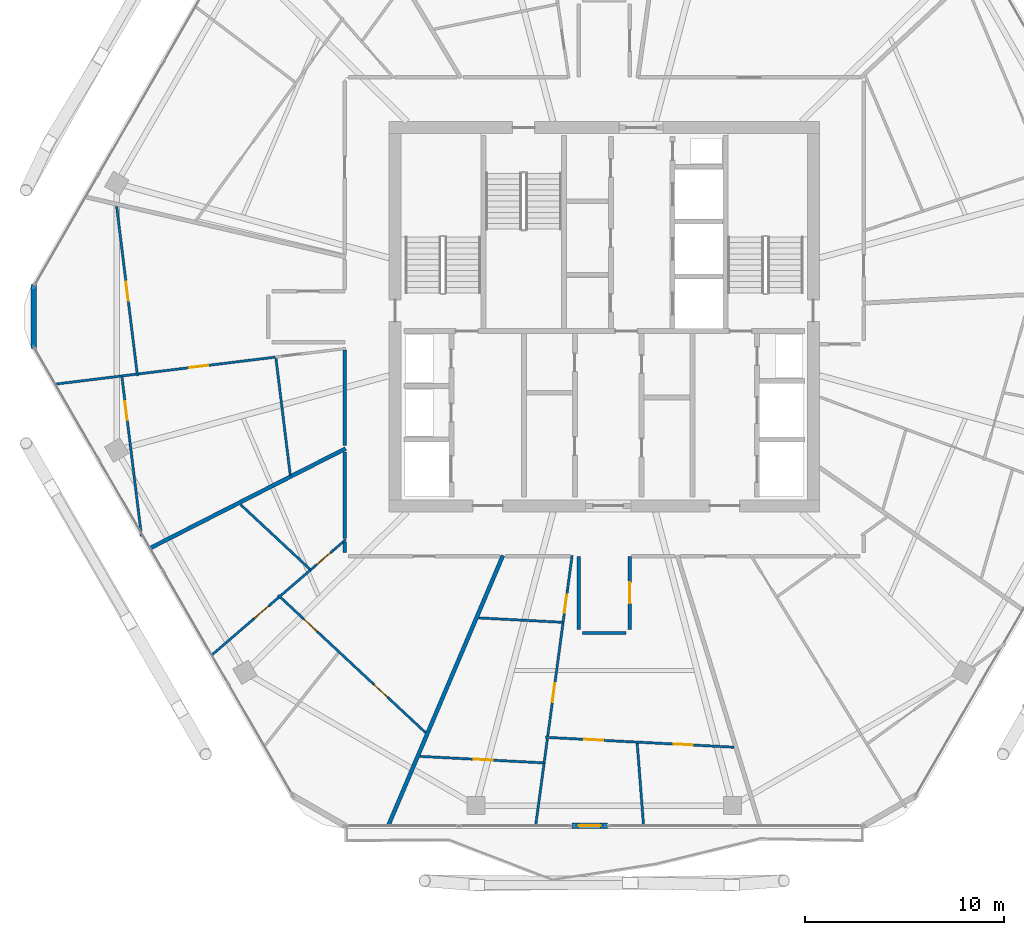
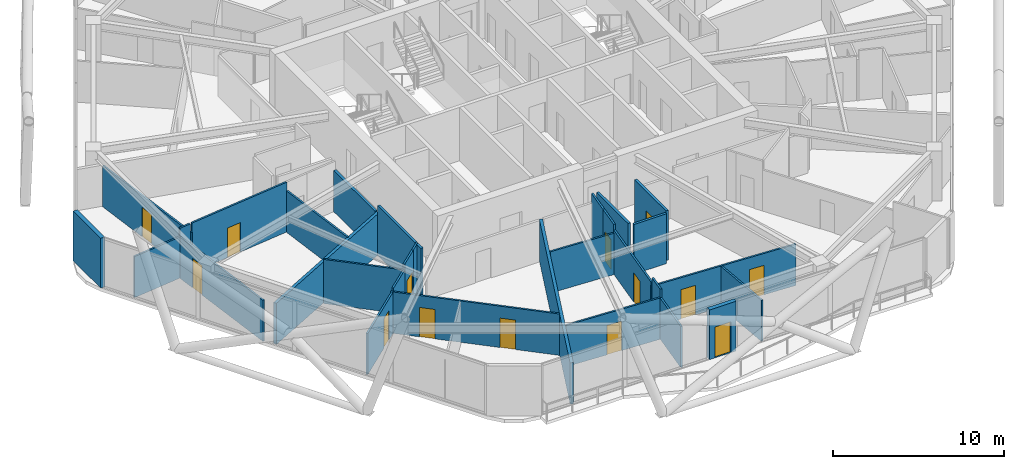
# One storey, part 20 of 28: 31 walls, 14 doors, 14 openings.
"""IFC4 building model written with IfcOpenShell, lengths in metres."""

from ifc_helpers import new_model, si_unit, direction, frame, frame_2d, origin, place, context, subcontext, project, spatial, rectangle, extrude, material, layer, layer_set, type_object, element, fill, save


model = new_model("IFC4")

# Units and contexts
model_context = context("Model", 3, precision=1e-05, world=origin(), true_north=direction((0.0, 1.0)))
body_context = subcontext(model_context, "Body", "Model", "MODEL_VIEW")
ifc_project = project(units=[si_unit("LENGTHUNIT", "METRE"), si_unit("AREAUNIT", "SQUARE_METRE"), si_unit("VOLUMEUNIT", "CUBIC_METRE"), si_unit("PLANEANGLEUNIT", "RADIAN"), si_unit("MASSUNIT", "GRAM", prefix="KILO")], contexts=[model_context])

# Site, building, storey
site_placement = place(None, origin())
site = spatial("IfcSite", under=ifc_project, at=site_placement, CompositionType="ELEMENT")
building_placement = place(site_placement, origin())
building = spatial("IfcBuilding", under=site, at=building_placement, Name="Zuhravey Tower", CompositionType="ELEMENT")
storey_placement = place(building_placement, frame((0.0, 0.0, 254.0)))
storey = spatial("IfcBuildingStorey", under=building, at=storey_placement, Name="L64", CompositionType="ELEMENT", Elevation=254.0)

# Wall, opening, door
ifc_material_1 = material(Name="Gypsum fire-rated stud partition")
ifc_layer_1 = layer(ifc_material_1, 0.159912109375)
ifc_layer_set_1 = layer_set([ifc_layer_1], Name="Gypsum fire-rated stud partition")
wall_type_1 = type_object("IfcWallType", Name="Corridor Fire Partition 160", PredefinedType="PARTITIONING", material=ifc_layer_set_1)
wall_1_placement = place(storey_placement, frame((37.280029296875, 16.300048828125, 0.0), z_axis=(0.0, 0.0, 1.0), x_axis=(0.0, 1.0, 0.0)))
wall_1 = element("IfcWall", 1, at=wall_1_placement, inside=storey, type_object=wall_type_1, Name="L64 IW16 Partition 041", PredefinedType="PARTITIONING", context=body_context, shape_type="SweptSolid", body=[
    extrude(rectangle(XDim=3.669921875, YDim=0.159912109375, at=frame_2d((1.8349609375, 0.0))), origin(), (0.0, 0.0, 1.0), 3.550048828125),
])
opening_1_placement = place(wall_1_placement, frame((1.31005859375, 0.0, 0.0)))
opening_1 = element("IfcOpeningElement", 2, at=opening_1_placement, cuts=wall_1, Name="Opening APD1", PredefinedType="OPENING", context=body_context, shape_type="SweptSolid", body=[
    extrude(rectangle(XDim=1.050048828125, YDim=2.14990234375, at=frame_2d((0.52490234375, 1.074951171875))), frame((0.0, 0.092041015625, 0.0), z_axis=(0.0, -1.0, 0.0), x_axis=(1.0, 0.0, 0.0)), (0.0, 0.0, 1.0), 0.183837890625),
])
ifc_material_2 = material(Name="Solid-core oak fire-rated leaf")
door_type_1 = type_object("IfcDoorType", Name="Apartment Entrance Fire Door 1050x2150", OperationType="NOTDEFINED", PredefinedType="DOOR", material=ifc_material_2)
door_1_placement = place(opening_1_placement, frame((1.050048828125, 0.0, 0.0), z_axis=(0.0, 0.0, 1.0), x_axis=(-1.0, 0.0, 0.0)))
door_1 = element("IfcDoor", 3, at=door_1_placement, inside=storey, type_object=door_type_1, Name="L64 Door 041.1", OperationType="SINGLE_SWING_RIGHT", OverallHeight=2.14990234375, OverallWidth=1.050048828125, PredefinedType="DOOR", context=body_context, shape_type="SweptSolid", body=[
    extrude(rectangle(XDim=1.050048828125, YDim=2.14990234375, at=frame_2d((0.52490234375, 1.074951171875))), frame((0.0, 0.02490234375, 0.0), z_axis=(0.0, -1.0, 0.0), x_axis=(1.0, 0.0, 0.0)), (0.0, 0.0, 1.0), 0.050048828125),
])
fill(opening_1, door_1)

# Walls
wall_2_placement = place(storey_placement, frame((22.969970703125, 30.33154296875, 0.0), z_axis=(0.0, 0.0, 1.0), x_axis=(0.0, -1.0, 0.0)))
element("IfcWall", 4, at=wall_2_placement, inside=storey, type_object=wall_type_1, Name="L64 IW16 Partition 108", PredefinedType="PARTITIONING", context=body_context, shape_type="SweptSolid", body=[
    extrude(rectangle(XDim=4.8056640625, YDim=0.159912109375, at=frame_2d((2.40283203125, 0.0))), origin(), (0.0, 0.0, 1.0), 2.949951171875),
])
wall_3_placement = place(storey_placement, frame((22.969970703125, 20.678955078125, 0.0), z_axis=(0.0, 0.0, 1.0), x_axis=(0.0, -1.0, 0.0)))
element("IfcWall", 5, at=wall_3_placement, inside=storey, type_object=wall_type_1, Name="L64 IW16 Partition 109", PredefinedType="PARTITIONING", context=body_context, shape_type="SweptSolid", body=[
    extrude(rectangle(XDim=0.529052734375, YDim=0.159912109375, at=frame_2d((0.2646484375, 0.0))), origin(), (0.0, 0.0, 1.0), 3.550048828125),
])
wall_4_placement = place(storey_placement, frame((22.969970703125, 25.194580078125, 0.0), z_axis=(0.0, 0.0, 1.0), x_axis=(0.0, -1.0, 0.0)))
element("IfcWall", 6, at=wall_4_placement, inside=storey, type_object=wall_type_1, Name="L64 IW16 Partition 110", PredefinedType="PARTITIONING", context=body_context, shape_type="SweptSolid", body=[
    extrude(rectangle(XDim=4.336181640625, YDim=0.159912109375, at=frame_2d((2.16796875, 0.0))), origin(), (0.0, 0.0, 1.0), 3.550048828125),
])
wall_5_placement = place(storey_placement, frame((34.719970703125, 19.969970703125, 0.0), z_axis=(0.0, 0.0, 1.0), x_axis=(0.0, -1.0, 0.0)))
element("IfcWall", 7, at=wall_5_placement, inside=storey, type_object=wall_type_1, Name="L64 IW16 Partition 111", PredefinedType="PARTITIONING", context=body_context, shape_type="SweptSolid", body=[
    extrude(rectangle(XDim=3.669921875, YDim=0.159912109375, at=frame_2d((1.8349609375, 0.0))), origin(), (0.0, 0.0, 1.0), 3.550048828125),
])
wall_6_placement = place(storey_placement, frame((34.89990234375, 16.1201171875, 0.0), z_axis=(0.0, 0.0, 1.0), x_axis=(1.0, 0.0, 0.0)))
element("IfcWall", 8, at=wall_6_placement, inside=storey, type_object=wall_type_1, Name="L64 IW16 Partition 113", PredefinedType="PARTITIONING", context=body_context, shape_type="SweptSolid", body=[
    extrude(rectangle(XDim=2.2001953125, YDim=0.159912109375, at=frame_2d((1.10009765625, 0.0))), origin(), (0.0, 0.0, 1.0), 3.550048828125),
])

# Wall, opening, door
ifc_material_3 = material(Name="Precast concrete C40/50", Category="concrete")
ifc_layer_2 = layer(ifc_material_3, 0.280029296875)
ifc_layer_set_2 = layer_set([ifc_layer_2], Name="Precast concrete C40/50")
wall_type_2 = type_object("IfcWallType", Name="Crown Architectural Wall 280", PredefinedType="SOLIDWALL", material=ifc_layer_set_2)
wall_7_placement = place(storey_placement, frame((36.1572265625, 6.436279296875, 0.0), z_axis=(0.0, 0.0, 1.0), x_axis=(-1.0, 0.0, 0.0)))
wall_7 = element("IfcWall", 9, at=wall_7_placement, inside=storey, type_object=wall_type_2, Name="L64 Face 5 Facade Pier EW28-1", PredefinedType="SOLIDWALL", context=body_context, shape_type="SweptSolid", body=[
    extrude(rectangle(XDim=1.7900390625, YDim=0.280029296875, at=frame_2d((0.89501953125, 0.0))), origin(), (0.0, 0.0, 1.0), 3.550048828125),
])
opening_2_placement = place(wall_7_placement, frame((0.344970703125, 0.0, 0.0)))
opening_2 = element("IfcOpeningElement", 10, at=opening_2_placement, cuts=wall_7, Name="Opening BLD1", PredefinedType="OPENING", context=body_context, shape_type="SweptSolid", body=[
    extrude(rectangle(XDim=1.10009765625, YDim=2.199951171875, at=frame_2d((0.550048828125, 1.10009765625))), frame((0.0, 0.152099609375, 0.0), z_axis=(0.0, -1.0, 0.0), x_axis=(1.0, 0.0, 0.0)), (0.0, 0.0, 1.0), 0.303955078125),
])
ifc_material_4 = material(Name="Thermally broken aluminium and low-E glass", Category="aluminium")
door_type_2 = type_object("IfcDoorType", Name="Balcony & Sky-Tray Glazed Door 1100x2200", OperationType="NOTDEFINED", PredefinedType="DOOR", material=ifc_material_4)
door_2_placement = place(opening_2_placement, frame((1.10009765625, 0.0, 0.0), z_axis=(0.0, 0.0, 1.0), x_axis=(-1.0, 0.0, 0.0)))
door_2 = element("IfcDoor", 11, at=door_2_placement, inside=storey, type_object=door_type_2, Name="L64 Face 5 Wave Balcony Door", OperationType="SINGLE_SWING_LEFT", OverallHeight=2.199951171875, OverallWidth=1.10009765625, PredefinedType="DOOR", context=body_context, shape_type="SweptSolid", body=[
    extrude(rectangle(XDim=1.10009765625, YDim=2.199951171875, at=frame_2d((0.550048828125, 1.10009765625))), frame((0.0, 0.02490234375, 0.0), z_axis=(0.0, -1.0, 0.0), x_axis=(1.0, 0.0, 0.0)), (0.0, 0.0, 1.0), 0.050048828125),
])
fill(opening_2, door_2)

# Walls
wall_8_placement = place(storey_placement, frame((7.35498046875, 30.392578125, 0.0), z_axis=(0.0, 0.0, 1.0), x_axis=(0.0, 1.0, 0.0)))
element("IfcWall", 12, at=wall_8_placement, inside=storey, type_object=wall_type_2, Name="L64 Rounded Corner Closure Wall EW28-06", PredefinedType="SOLIDWALL", context=body_context, shape_type="SweptSolid", body=[
    extrude(rectangle(XDim=3.21484375, YDim=0.280029296875, at=frame_2d((1.607421875, 0.0))), origin(), (0.0, 0.0, 1.0), 3.550048828125),
])
ifc_material_5 = material(Name="Gypsum double-stud party assembly")
ifc_layer_3 = layer(ifc_material_5, 0.199951171875)
ifc_layer_set_3 = layer_set([ifc_layer_3], Name="Gypsum double-stud party assembly")
wall_type_3 = type_object("IfcWallType", Name="Inter-Tenancy Party Wall 200", PredefinedType="PARTITIONING", material=ifc_layer_set_3)
wall_9_placement = place(storey_placement, frame((23.010009765625, 25.38134765625, 0.0), z_axis=(0.0, 0.0, 1.0), x_axis=(-0.891002805017, -0.453997798951, 0.0)))
element("IfcWall", 13, at=wall_9_placement, inside=storey, type_object=wall_type_3, Name="L64 IW20 Partition 075", PredefinedType="PARTITIONING", context=body_context, shape_type="SweptSolid", body=[
    extrude(rectangle(XDim=11.019775390625, YDim=0.199951171875, at=frame_2d((5.509765625, 0.0))), origin(), (0.0, 0.0, 1.0), 2.929931640625),
])
wall_10_placement = place(storey_placement, frame((30.910400390625, 20.010009765625, 0.0), z_axis=(0.0, 0.0, 1.0), x_axis=(-0.390717789384, -0.920510515453, 0.0)))
element("IfcWall", 14, at=wall_10_placement, inside=storey, type_object=wall_type_3, Name="L64 IW20 Partition 079", PredefinedType="PARTITIONING", context=body_context, shape_type="SweptSolid", body=[
    extrude(rectangle(XDim=14.745849609375, YDim=0.199951171875, at=frame_2d((7.373046875, 0.0))), origin(), (0.0, 0.0, 1.0), 2.929931640625),
])

# Wall, opening, door
ifc_material_6 = material(Name="Gypsum metal-stud partition")
ifc_layer_4 = layer(ifc_material_6, 0.1201171875)
ifc_layer_set_4 = layer_set([ifc_layer_4], Name="Gypsum metal-stud partition")
wall_type_4 = type_object("IfcWallType", Name="Unit Internal Partition 120", PredefinedType="PARTITIONING", material=ifc_layer_set_4)
wall_11_placement = place(storey_placement, frame((11.512939453125, 37.531005859375, 0.0), z_axis=(0.0, 0.0, 1.0), x_axis=(0.121872108215, -0.992545812161, 0.0)))
wall_11 = element("IfcWall", 15, at=wall_11_placement, inside=storey, type_object=wall_type_4, Name="L64 IW12 Partition 025", PredefinedType="PARTITIONING", context=body_context, shape_type="SweptSolid", body=[
    extrude(rectangle(XDim=8.573974609375, YDim=0.1201171875, at=frame_2d((4.287109375, 0.0))), origin(), (0.0, 0.0, 1.0), 2.929931640625),
])
opening_3_placement = place(wall_11_placement, frame((3.81201171875, 0.0, 0.0)))
opening_3 = element("IfcOpeningElement", 16, at=opening_3_placement, cuts=wall_11, Name="Opening IND1", PredefinedType="OPENING", context=body_context, shape_type="SweptSolid", body=[
    extrude(rectangle(XDim=0.949951171875, YDim=2.10009765625, at=frame_2d((0.47509765625, 1.050048828125))), frame((0.0, 0.072021484375, 0.0), z_axis=(0.0, -1.0, 0.0), x_axis=(1.0, 0.0, 0.0)), (0.0, 0.0, 1.0), 0.14404296875),
])
ifc_material_7 = material(Name="Painted engineered timber leaf", Category="wood")
door_type_3 = type_object("IfcDoorType", Name="Internal Room & Bedroom Door 950x2100", OperationType="NOTDEFINED", PredefinedType="DOOR", material=ifc_material_7)
door_3_placement = place(opening_3_placement, frame((0.949951171875, 0.0, 0.0), z_axis=(0.0, 0.0, 1.0), x_axis=(-1.0, 0.0, 0.0)))
door_3 = element("IfcDoor", 17, at=door_3_placement, inside=storey, type_object=door_type_3, Name="Apartment L64-02 Family Study Door", OperationType="SINGLE_SWING_LEFT", OverallHeight=2.10009765625, OverallWidth=0.949951171875, PredefinedType="DOOR", context=body_context, shape_type="SweptSolid", body=[
    extrude(rectangle(XDim=0.949951171875, YDim=2.10009765625, at=frame_2d((0.47509765625, 1.050048828125))), frame((0.0, 0.02490234375, 0.0), z_axis=(0.0, -1.0, 0.0), x_axis=(1.0, 0.0, 0.0)), (0.0, 0.0, 1.0), 0.050048828125),
])
fill(opening_3, door_3)

wall_12_placement = place(storey_placement, frame((19.477294921875, 29.97119140625, 0.0), z_axis=(0.0, 0.0, 1.0), x_axis=(-0.992546527123, -0.121866285315, 0.0)))
wall_12 = element("IfcWall", 18, at=wall_12_placement, inside=storey, type_object=wall_type_4, Name="L64 IW12 Partition 027", PredefinedType="PARTITIONING", context=body_context, shape_type="SweptSolid", body=[
    extrude(rectangle(XDim=6.91552734375, YDim=0.1201171875, at=frame_2d((3.457763671875, 0.0))), origin(), (0.0, 0.0, 1.0), 3.550048828125),
])
opening_4_placement = place(wall_12_placement, frame((3.394775390625, 0.0, 0.0)))
opening_4 = element("IfcOpeningElement", 19, at=opening_4_placement, cuts=wall_12, Name="Opening IND1", PredefinedType="OPENING", context=body_context, shape_type="SweptSolid", body=[
    extrude(rectangle(XDim=0.949951171875, YDim=2.10009765625, at=frame_2d((0.47509765625, 1.050048828125))), frame((0.0, 0.072021484375, 0.0), z_axis=(0.0, -1.0, 0.0), x_axis=(1.0, 0.0, 0.0)), (0.0, 0.0, 1.0), 0.14404296875),
])
door_4_placement = place(opening_4_placement, origin())
door_4 = element("IfcDoor", 20, at=door_4_placement, inside=storey, type_object=door_type_3, Name="Apartment L64-02 Home Office Door", OperationType="SINGLE_SWING_LEFT", OverallHeight=2.10009765625, OverallWidth=0.949951171875, PredefinedType="DOOR", context=body_context, shape_type="SweptSolid", body=[
    extrude(rectangle(XDim=0.949951171875, YDim=2.10009765625, at=frame_2d((0.47509765625, 1.050048828125))), frame((0.0, 0.02490234375, 0.0), z_axis=(0.0, -1.0, 0.0), x_axis=(1.0, 0.0, 0.0)), (0.0, 0.0, 1.0), 0.050048828125),
])
fill(opening_4, door_4)

# Wall
wall_13_placement = place(storey_placement, frame((12.478271484375, 29.11181640625, 0.0), z_axis=(0.0, 0.0, 1.0), x_axis=(-0.992560299451, -0.121754063399, 0.0)))
element("IfcWall", 21, at=wall_13_placement, inside=storey, type_object=wall_type_4, Name="L64 IW12 Partition 028", PredefinedType="PARTITIONING", context=body_context, shape_type="SweptSolid", body=[
    extrude(rectangle(XDim=0.73779296875, YDim=0.1201171875, at=frame_2d((0.368896484375, 0.0))), origin(), (0.0, 0.0, 1.0), 3.550048828125),
])

# Wall, opening, door
wall_14_placement = place(storey_placement, frame((11.779052734375, 28.95751953125, 0.0), z_axis=(0.0, 0.0, 1.0), x_axis=(0.121881345425, -0.992544677905, 0.0)))
wall_14 = element("IfcWall", 22, at=wall_14_placement, inside=storey, type_object=wall_type_4, Name="L64 IW12 Partition 029", PredefinedType="PARTITIONING", context=body_context, shape_type="SweptSolid", body=[
    extrude(rectangle(XDim=8.052490234375, YDim=0.1201171875, at=frame_2d((4.0263671875, 0.0))), origin(), (0.0, 0.0, 1.0), 2.929931640625),
])
opening_5_placement = place(wall_14_placement, frame((1.209228515625, 0.0, 0.0)))
opening_5 = element("IfcOpeningElement", 23, at=opening_5_placement, cuts=wall_14, Name="Opening IND1", PredefinedType="OPENING", context=body_context, shape_type="SweptSolid", body=[
    extrude(rectangle(XDim=0.949951171875, YDim=2.10009765625, at=frame_2d((0.47509765625, 1.050048828125))), frame((0.0, 0.072021484375, 0.0), z_axis=(0.0, -1.0, 0.0), x_axis=(1.0, 0.0, 0.0)), (0.0, 0.0, 1.0), 0.14404296875),
])
door_5_placement = place(opening_5_placement, frame((0.949951171875, 0.0, 0.0), z_axis=(0.0, 0.0, 1.0), x_axis=(-1.0, 0.0, 0.0)))
door_5 = element("IfcDoor", 24, at=door_5_placement, inside=storey, type_object=door_type_3, Name="Apartment L64-02 Bedroom 1 Door", OperationType="SINGLE_SWING_RIGHT", OverallHeight=2.10009765625, OverallWidth=0.949951171875, PredefinedType="DOOR", context=body_context, shape_type="SweptSolid", body=[
    extrude(rectangle(XDim=0.949951171875, YDim=2.10009765625, at=frame_2d((0.47509765625, 1.050048828125))), frame((0.0, 0.02490234375, 0.0), z_axis=(0.0, -1.0, 0.0), x_axis=(1.0, 0.0, 0.0)), (0.0, 0.0, 1.0), 0.050048828125),
])
fill(opening_5, door_5)

# Wall, openings, doors
wall_15_placement = place(storey_placement, frame((19.623291015625, 18.01611328125, 0.0), z_axis=(0.0, 0.0, 1.0), x_axis=(0.731336709618, -0.682016581298, 0.0)))
wall_15 = element("IfcWall", 25, at=wall_15_placement, inside=storey, type_object=wall_type_4, Name="L64 IW12 Partition 031", PredefinedType="PARTITIONING", context=body_context, shape_type="SweptSolid", body=[
    extrude(rectangle(XDim=10.123046875, YDim=0.1201171875, at=frame_2d((5.0615234375, 0.0))), origin(), (0.0, 0.0, 1.0), 2.949951171875),
])
opening_6_placement = place(wall_15_placement, frame((1.734619140625, 0.0, 0.0)))
opening_6 = element("IfcOpeningElement", 26, at=opening_6_placement, cuts=wall_15, Name="Opening IND1", PredefinedType="OPENING", context=body_context, shape_type="SweptSolid", body=[
    extrude(rectangle(XDim=0.949951171875, YDim=2.10009765625, at=frame_2d((0.47509765625, 1.050048828125))), frame((0.0, 0.072021484375, 0.0), z_axis=(0.0, -1.0, 0.0), x_axis=(1.0, 0.0, 0.0)), (0.0, 0.0, 1.0), 0.14404296875),
])
opening_7_placement = place(wall_15_placement, frame((6.555908203125, 0.0, 0.0)))
opening_7 = element("IfcOpeningElement", 27, at=opening_7_placement, cuts=wall_15, Name="Opening IND1", PredefinedType="OPENING", context=body_context, shape_type="SweptSolid", body=[
    extrude(rectangle(XDim=0.949951171875, YDim=2.10009765625, at=frame_2d((0.47509765625, 1.050048828125))), frame((0.0, 0.072021484375, 0.0), z_axis=(0.0, -1.0, 0.0), x_axis=(1.0, 0.0, 0.0)), (0.0, 0.0, 1.0), 0.14404296875),
])
door_6_placement = place(opening_6_placement, frame((0.949951171875, 0.0, 0.0), z_axis=(0.0, 0.0, 1.0), x_axis=(-1.0, 0.0, 0.0)))
door_6 = element("IfcDoor", 28, at=door_6_placement, inside=storey, type_object=door_type_3, Name="Apartment L64-03 Family Study Door", OperationType="SINGLE_SWING_RIGHT", OverallHeight=2.10009765625, OverallWidth=0.949951171875, PredefinedType="DOOR", context=body_context, shape_type="SweptSolid", body=[
    extrude(rectangle(XDim=0.949951171875, YDim=2.10009765625, at=frame_2d((0.47509765625, 1.050048828125))), frame((0.0, 0.02490234375, 0.0), z_axis=(0.0, -1.0, 0.0), x_axis=(1.0, 0.0, 0.0)), (0.0, 0.0, 1.0), 0.050048828125),
])
fill(opening_6, door_6)
door_7_placement = place(opening_7_placement, frame((0.949951171875, 0.0, 0.0), z_axis=(0.0, 0.0, 1.0), x_axis=(-1.0, 0.0, 0.0)))
door_7 = element("IfcDoor", 29, at=door_7_placement, inside=storey, type_object=door_type_3, Name="Apartment L64-03 Dining Room Door", OperationType="SINGLE_SWING_LEFT", OverallHeight=2.10009765625, OverallWidth=0.949951171875, PredefinedType="DOOR", context=body_context, shape_type="SweptSolid", body=[
    extrude(rectangle(XDim=0.949951171875, YDim=2.10009765625, at=frame_2d((0.47509765625, 1.050048828125))), frame((0.0, 0.02490234375, 0.0), z_axis=(0.0, -1.0, 0.0), x_axis=(1.0, 0.0, 0.0)), (0.0, 0.0, 1.0), 0.050048828125),
])
fill(opening_7, door_7)

# Wall, opening, door
wall_16_placement = place(storey_placement, frame((22.39990234375, 20.27734375, 0.0), z_axis=(0.0, 0.0, 1.0), x_axis=(-0.757453187735, -0.652889476397, 0.0)))
wall_16 = element("IfcWall", 30, at=wall_16_placement, inside=storey, type_object=wall_type_4, Name="L64 IW12 Partition 032", PredefinedType="PARTITIONING", context=body_context, shape_type="SweptSolid", body=[
    extrude(rectangle(XDim=1.541015625, YDim=0.1201171875, at=frame_2d((0.7705078125, 0.0))), origin(), (0.0, 0.0, 1.0), 3.550048828125),
])
opening_8_placement = place(wall_16_placement, frame((0.199951171875, 0.0, 0.0)))
opening_8 = element("IfcOpeningElement", 31, at=opening_8_placement, cuts=wall_16, Name="Opening WCD1", PredefinedType="OPENING", context=body_context, shape_type="SweptSolid", body=[
    extrude(rectangle(XDim=0.89990234375, YDim=2.10009765625, at=frame_2d((0.449951171875, 1.050048828125))), frame((0.0, 0.072021484375, 0.0), z_axis=(0.0, -1.0, 0.0), x_axis=(1.0, 0.0, 0.0)), (0.0, 0.0, 1.0), 0.14404296875),
])
ifc_material_8 = material(Name="Moisture-resistant timber leaf", Category="wood")
door_type_4 = type_object("IfcDoorType", Name="Bathroom & WC Internal Door 900x2100", OperationType="NOTDEFINED", PredefinedType="DOOR", material=ifc_material_8)
door_8_placement = place(opening_8_placement, frame((0.89990234375, 0.0, 0.0), z_axis=(0.0, 0.0, 1.0), x_axis=(-1.0, 0.0, 0.0)))
door_8 = element("IfcDoor", 32, at=door_8_placement, inside=storey, type_object=door_type_4, Name="Apartment L64-03 Bathroom Door", OperationType="SINGLE_SWING_RIGHT", OverallHeight=2.10009765625, OverallWidth=0.89990234375, PredefinedType="DOOR", context=body_context, shape_type="SweptSolid", body=[
    extrude(rectangle(XDim=0.89990234375, YDim=2.10009765625, at=frame_2d((0.449951171875, 1.050048828125))), frame((0.0, 0.02490234375, 0.0), z_axis=(0.0, -1.0, 0.0), x_axis=(1.0, 0.0, 0.0)), (0.0, 0.0, 1.0), 0.050048828125),
])
fill(opening_8, door_8)

# Wall
wall_17_placement = place(storey_placement, frame((21.232666015625, 19.271240234375, 0.0), z_axis=(0.0, 0.0, 1.0), x_axis=(-0.757388710943, -0.652964272021, 0.0)))
element("IfcWall", 33, at=wall_17_placement, inside=storey, type_object=wall_type_4, Name="L64 IW12 Partition 033", PredefinedType="PARTITIONING", context=body_context, shape_type="SweptSolid", body=[
    extrude(rectangle(XDim=1.959228515625, YDim=0.1201171875, at=frame_2d((0.9794921875, 0.0))), origin(), (0.0, 0.0, 1.0), 3.14990234375),
])

# Wall, opening, door
wall_18_placement = place(storey_placement, frame((19.64501953125, 17.902587890625, 0.0), z_axis=(0.0, 0.0, 1.0), x_axis=(-0.757457852789, -0.652884064171, 0.0)))
wall_18 = element("IfcWall", 34, at=wall_18_placement, inside=storey, type_object=wall_type_4, Name="L64 IW12 Partition 034", PredefinedType="PARTITIONING", context=body_context, shape_type="SweptSolid", body=[
    extrude(rectangle(XDim=4.433349609375, YDim=0.1201171875, at=frame_2d((2.216796875, 0.0))), origin(), (0.0, 0.0, 1.0), 2.929931640625),
])
opening_9_placement = place(wall_18_placement, frame((0.668701171875, 0.0, 0.0)))
opening_9 = element("IfcOpeningElement", 35, at=opening_9_placement, cuts=wall_18, Name="Opening IND1", PredefinedType="OPENING", context=body_context, shape_type="SweptSolid", body=[
    extrude(rectangle(XDim=0.949951171875, YDim=2.10009765625, at=frame_2d((0.47509765625, 1.050048828125))), frame((0.0, 0.072021484375, 0.0), z_axis=(0.0, -1.0, 0.0), x_axis=(1.0, 0.0, 0.0)), (0.0, 0.0, 1.0), 0.14404296875),
])
door_9_placement = place(opening_9_placement, frame((0.949951171875, 0.0, 0.0), z_axis=(0.0, 0.0, 1.0), x_axis=(-1.0, 0.0, 0.0)))
door_9 = element("IfcDoor", 36, at=door_9_placement, inside=storey, type_object=door_type_3, Name="Apartment L64-03 Bedroom 1 Door", OperationType="SINGLE_SWING_LEFT", OverallHeight=2.10009765625, OverallWidth=0.949951171875, PredefinedType="DOOR", context=body_context, shape_type="SweptSolid", body=[
    extrude(rectangle(XDim=0.949951171875, YDim=2.10009765625, at=frame_2d((0.47509765625, 1.050048828125))), frame((0.0, 0.02490234375, 0.0), z_axis=(0.0, -1.0, 0.0), x_axis=(1.0, 0.0, 0.0)), (0.0, 0.0, 1.0), 0.050048828125),
])
fill(opening_9, door_9)

# Wall, openings, doors
wall_19_placement = place(storey_placement, frame((33.05078125, 10.878662109375, 0.0), z_axis=(0.0, 0.0, 1.0), x_axis=(0.998629555411, -0.052335562088, 0.0)))
wall_19 = element("IfcWall", 37, at=wall_19_placement, inside=storey, type_object=wall_type_4, Name="L64 IW12 Partition 036", PredefinedType="PARTITIONING", context=body_context, shape_type="SweptSolid", body=[
    extrude(rectangle(XDim=9.4697265625, YDim=0.1201171875, at=frame_2d((4.73486328125, 0.0))), origin(), (0.0, 0.0, 1.0), 2.949951171875),
])
opening_10_placement = place(wall_19_placement, frame((1.947509765625, 0.0, 0.0)))
opening_10 = element("IfcOpeningElement", 38, at=opening_10_placement, cuts=wall_19, Name="Opening IND1", PredefinedType="OPENING", context=body_context, shape_type="SweptSolid", body=[
    extrude(rectangle(XDim=0.949951171875, YDim=2.10009765625, at=frame_2d((0.47509765625, 1.050048828125))), frame((0.0, 0.072021484375, 0.0), z_axis=(0.0, -1.0, 0.0), x_axis=(1.0, 0.0, 0.0)), (0.0, 0.0, 1.0), 0.14404296875),
])
opening_11_placement = place(wall_19_placement, frame((6.44140625, 0.0, 0.0)))
opening_11 = element("IfcOpeningElement", 39, at=opening_11_placement, cuts=wall_19, Name="Opening IND1", PredefinedType="OPENING", context=body_context, shape_type="SweptSolid", body=[
    extrude(rectangle(XDim=0.949951171875, YDim=2.10009765625, at=frame_2d((0.47509765625, 1.050048828125))), frame((0.0, 0.072021484375, 0.0), z_axis=(0.0, -1.0, 0.0), x_axis=(1.0, 0.0, 0.0)), (0.0, 0.0, 1.0), 0.14404296875),
])
door_10_placement = place(opening_10_placement, frame((0.949951171875, 0.0, 0.0), z_axis=(0.0, 0.0, 1.0), x_axis=(-1.0, 0.0, 0.0)))
door_10 = element("IfcDoor", 40, at=door_10_placement, inside=storey, type_object=door_type_3, Name="Apartment L64-04 Family Study Door", OperationType="SINGLE_SWING_LEFT", OverallHeight=2.10009765625, OverallWidth=0.949951171875, PredefinedType="DOOR", context=body_context, shape_type="SweptSolid", body=[
    extrude(rectangle(XDim=0.949951171875, YDim=2.10009765625, at=frame_2d((0.47509765625, 1.050048828125))), frame((0.0, 0.02490234375, 0.0), z_axis=(0.0, -1.0, 0.0), x_axis=(1.0, 0.0, 0.0)), (0.0, 0.0, 1.0), 0.050048828125),
])
fill(opening_10, door_10)
door_11_placement = place(opening_11_placement, frame((0.949951171875, 0.0, 0.0), z_axis=(0.0, 0.0, 1.0), x_axis=(-1.0, 0.0, 0.0)))
door_11 = element("IfcDoor", 41, at=door_11_placement, inside=storey, type_object=door_type_3, Name="Apartment L64-04 Dining Room Door", OperationType="SINGLE_SWING_RIGHT", OverallHeight=2.10009765625, OverallWidth=0.949951171875, PredefinedType="DOOR", context=body_context, shape_type="SweptSolid", body=[
    extrude(rectangle(XDim=0.949951171875, YDim=2.10009765625, at=frame_2d((0.47509765625, 1.050048828125))), frame((0.0, 0.02490234375, 0.0), z_axis=(0.0, -1.0, 0.0), x_axis=(1.0, 0.0, 0.0)), (0.0, 0.0, 1.0), 0.050048828125),
])
fill(opening_11, door_11)

# Wall, opening, door
wall_20_placement = place(storey_placement, frame((34.14990234375, 18.281005859375, 0.0), z_axis=(0.0, 0.0, 1.0), x_axis=(-0.133630411979, -0.991031237144, 0.0)))
wall_20 = element("IfcWall", 42, at=wall_20_placement, inside=storey, type_object=wall_type_4, Name="L64 IW12 Partition 037", PredefinedType="PARTITIONING", context=body_context, shape_type="SweptSolid", body=[
    extrude(rectangle(XDim=1.66796875, YDim=0.1201171875, at=frame_2d((0.833984375, 0.0))), origin(), (0.0, 0.0, 1.0), 3.550048828125),
])
opening_12_placement = place(wall_20_placement, frame((0.25048828125, 0.0, 0.0)))
opening_12 = element("IfcOpeningElement", 43, at=opening_12_placement, cuts=wall_20, Name="Opening WCD1", PredefinedType="OPENING", context=body_context, shape_type="SweptSolid", body=[
    extrude(rectangle(XDim=0.89990234375, YDim=2.10009765625, at=frame_2d((0.449951171875, 1.050048828125))), frame((0.0, 0.072021484375, 0.0), z_axis=(0.0, -1.0, 0.0), x_axis=(1.0, 0.0, 0.0)), (0.0, 0.0, 1.0), 0.14404296875),
])
door_12_placement = place(opening_12_placement, frame((0.89990234375, 0.0, 0.0), z_axis=(0.0, 0.0, 1.0), x_axis=(-1.0, 0.0, 0.0)))
door_12 = element("IfcDoor", 44, at=door_12_placement, inside=storey, type_object=door_type_4, Name="Apartment L64-04 Bathroom Door", OperationType="SINGLE_SWING_LEFT", OverallHeight=2.10009765625, OverallWidth=0.89990234375, PredefinedType="DOOR", context=body_context, shape_type="SweptSolid", body=[
    extrude(rectangle(XDim=0.89990234375, YDim=2.10009765625, at=frame_2d((0.449951171875, 1.050048828125))), frame((0.0, 0.02490234375, 0.0), z_axis=(0.0, -1.0, 0.0), x_axis=(1.0, 0.0, 0.0)), (0.0, 0.0, 1.0), 0.050048828125),
])
fill(opening_12, door_12)

wall_21_placement = place(storey_placement, frame((33.927001953125, 16.6279296875, 0.0), z_axis=(0.0, 0.0, 1.0), x_axis=(-0.133632195437, -0.991030996661, 0.0)))
wall_21 = element("IfcWall", 45, at=wall_21_placement, inside=storey, type_object=wall_type_4, Name="L64 IW12 Partition 038", PredefinedType="PARTITIONING", context=body_context, shape_type="SweptSolid", body=[
    extrude(rectangle(XDim=5.738525390625, YDim=0.1201171875, at=frame_2d((2.869140625, 0.0))), origin(), (0.0, 0.0, 1.0), 3.14990234375),
])
opening_13_placement = place(wall_21_placement, frame((3.060791015625, 0.0, 0.0)))
opening_13 = element("IfcOpeningElement", 46, at=opening_13_placement, cuts=wall_21, Name="Opening IND1", PredefinedType="OPENING", context=body_context, shape_type="SweptSolid", body=[
    extrude(rectangle(XDim=0.949951171875, YDim=2.10009765625, at=frame_2d((0.47509765625, 1.050048828125))), frame((0.0, 0.072021484375, 0.0), z_axis=(0.0, -1.0, 0.0), x_axis=(1.0, 0.0, 0.0)), (0.0, 0.0, 1.0), 0.14404296875),
])
door_13_placement = place(opening_13_placement, frame((0.949951171875, 0.0, 0.0), z_axis=(0.0, 0.0, 1.0), x_axis=(-1.0, 0.0, 0.0)))
door_13 = element("IfcDoor", 47, at=door_13_placement, inside=storey, type_object=door_type_3, Name="Apartment L64-04 Home Office Door", OperationType="SINGLE_SWING_RIGHT", OverallHeight=2.10009765625, OverallWidth=0.949951171875, PredefinedType="DOOR", context=body_context, shape_type="SweptSolid", body=[
    extrude(rectangle(XDim=0.949951171875, YDim=2.10009765625, at=frame_2d((0.47509765625, 1.050048828125))), frame((0.0, 0.02490234375, 0.0), z_axis=(0.0, -1.0, 0.0), x_axis=(1.0, 0.0, 0.0)), (0.0, 0.0, 1.0), 0.050048828125),
])
fill(opening_13, door_13)

# Wall
wall_22_placement = place(storey_placement, frame((33.141845703125, 10.8056640625, 0.0), z_axis=(0.0, 0.0, 1.0), x_axis=(-0.133574786173, -0.991038736124, 0.0)))
element("IfcWall", 48, at=wall_22_placement, inside=storey, type_object=wall_type_4, Name="L64 IW12 Partition 039", PredefinedType="PARTITIONING", context=body_context, shape_type="SweptSolid", body=[
    extrude(rectangle(XDim=1.24658203125, YDim=0.1201171875, at=frame_2d((0.623291015625, 0.0))), origin(), (0.0, 0.0, 1.0), 3.550048828125),
])

# Wall, opening, door
wall_23_placement = place(storey_placement, frame((26.74658203125, 9.921630859375, 0.0), z_axis=(0.0, 0.0, 1.0), x_axis=(0.998629822512, -0.052330465211, 0.0)))
wall_23 = element("IfcWall", 49, at=wall_23_placement, inside=storey, type_object=wall_type_4, Name="L64 IW12 Partition 040", PredefinedType="PARTITIONING", context=body_context, shape_type="SweptSolid", body=[
    extrude(rectangle(XDim=6.17236328125, YDim=0.1201171875, at=frame_2d((3.086181640625, 0.0))), origin(), (0.0, 0.0, 1.0), 2.949951171875),
])
opening_14_placement = place(wall_23_placement, frame((2.695556640625, 0.0, 0.0)))
opening_14 = element("IfcOpeningElement", 50, at=opening_14_placement, cuts=wall_23, Name="Opening IND1", PredefinedType="OPENING", context=body_context, shape_type="SweptSolid", body=[
    extrude(rectangle(XDim=0.949951171875, YDim=2.10009765625, at=frame_2d((0.47509765625, 1.050048828125))), frame((0.0, 0.072021484375, 0.0), z_axis=(0.0, -1.0, 0.0), x_axis=(1.0, 0.0, 0.0)), (0.0, 0.0, 1.0), 0.14404296875),
])
door_14_placement = place(opening_14_placement, frame((0.949951171875, 0.0, 0.0), z_axis=(0.0, 0.0, 1.0), x_axis=(-1.0, 0.0, 0.0)))
door_14 = element("IfcDoor", 51, at=door_14_placement, inside=storey, type_object=door_type_3, Name="Apartment L64-04 Bedroom 1 Door", OperationType="SINGLE_SWING_LEFT", OverallHeight=2.10009765625, OverallWidth=0.949951171875, PredefinedType="DOOR", context=body_context, shape_type="SweptSolid", body=[
    extrude(rectangle(XDim=0.949951171875, YDim=2.10009765625, at=frame_2d((0.47509765625, 1.050048828125))), frame((0.0, 0.02490234375, 0.0), z_axis=(0.0, -1.0, 0.0), x_axis=(1.0, 0.0, 0.0)), (0.0, 0.0, 1.0), 0.050048828125),
])
fill(opening_14, door_14)

# Walls
wall_24_placement = place(storey_placement, frame((11.745849609375, 29.02197265625, 0.0), z_axis=(0.0, 0.0, 1.0), x_axis=(-0.992540039765, -0.12191911033, 0.0)))
element("IfcWall", 52, at=wall_24_placement, inside=storey, type_object=wall_type_4, Name="L64 IW12 Partition 073", PredefinedType="PARTITIONING", context=body_context, shape_type="SweptSolid", body=[
    extrude(rectangle(XDim=3.338134765625, YDim=0.1201171875, at=frame_2d((1.6689453125, 0.0))), origin(), (0.0, 0.0, 1.0), 2.929931640625),
])
wall_25_placement = place(storey_placement, frame((19.510498046875, 29.906982421875, 0.0), z_axis=(0.0, 0.0, 1.0), x_axis=(0.121858538231, -0.99254747829, 0.0)))
element("IfcWall", 53, at=wall_25_placement, inside=storey, type_object=wall_type_4, Name="L64 IW12 Partition 074", PredefinedType="PARTITIONING", context=body_context, shape_type="SweptSolid", body=[
    extrude(rectangle(XDim=5.92431640625, YDim=0.1201171875, at=frame_2d((2.962158203125, 0.0))), origin(), (0.0, 0.0, 1.0), 2.949951171875),
])
wall_26_placement = place(storey_placement, frame((23.014892578125, 20.8076171875, 0.0), z_axis=(0.0, 0.0, 1.0), x_axis=(-0.757343305527, -0.653016935135, 0.0)))
element("IfcWall", 54, at=wall_26_placement, inside=storey, type_object=wall_type_4, Name="L64 IW12 Partition 077", PredefinedType="PARTITIONING", context=body_context, shape_type="SweptSolid", body=[
    extrude(rectangle(XDim=0.81201171875, YDim=0.1201171875, at=frame_2d((0.406005859375, 0.0))), origin(), (0.0, 0.0, 1.0), 3.550048828125),
])
wall_27_placement = place(storey_placement, frame((17.7314453125, 22.5703125, 0.0), z_axis=(0.0, 0.0, 1.0), x_axis=(0.731347784436, -0.68200470541, 0.0)))
element("IfcWall", 55, at=wall_27_placement, inside=storey, type_object=wall_type_4, Name="L64 IW12 Partition 078", PredefinedType="PARTITIONING", context=body_context, shape_type="SweptSolid", body=[
    extrude(rectangle(XDim=4.744873046875, YDim=0.1201171875, at=frame_2d((2.37255859375, 0.0))), origin(), (0.0, 0.0, 1.0), 3.14990234375),
])
wall_28_placement = place(storey_placement, frame((37.65283203125, 10.5693359375, 0.0), z_axis=(0.0, 0.0, 1.0), x_axis=(0.076893245037, -0.997039331655, 0.0)))
element("IfcWall", 56, at=wall_28_placement, inside=storey, type_object=wall_type_4, Name="L64 IW12 Partition 080", PredefinedType="PARTITIONING", context=body_context, shape_type="SweptSolid", body=[
    extrude(rectangle(XDim=4.17529296875, YDim=0.1201171875, at=frame_2d((2.087646484375, 0.0))), origin(), (0.0, 0.0, 1.0), 2.929931640625),
])
wall_29_placement = place(storey_placement, frame((34.3837890625, 20.014892578125, 0.0), z_axis=(0.0, 0.0, 1.0), x_axis=(-0.133680851635, -0.991024434566, 0.0)))
element("IfcWall", 57, at=wall_29_placement, inside=storey, type_object=wall_type_4, Name="L64 IW12 Partition 081", PredefinedType="PARTITIONING", context=body_context, shape_type="SweptSolid", body=[
    extrude(rectangle(XDim=1.74951171875, YDim=0.1201171875, at=frame_2d((0.874755859375, 0.0))), origin(), (0.0, 0.0, 1.0), 3.550048828125),
])
wall_30_placement = place(storey_placement, frame((32.975341796875, 9.5703125, 0.0), z_axis=(0.0, 0.0, 1.0), x_axis=(-0.133658061731, -0.991027508465, 0.0)))
element("IfcWall", 58, at=wall_30_placement, inside=storey, type_object=wall_type_4, Name="L64 IW12 Partition 082", PredefinedType="PARTITIONING", context=body_context, shape_type="SweptSolid", body=[
    extrude(rectangle(XDim=3.167236328125, YDim=0.1201171875, at=frame_2d((1.58349609375, 0.0))), origin(), (0.0, 0.0, 1.0), 2.929931640625),
])
wall_31_placement = place(storey_placement, frame((29.697021484375, 16.874755859375, 0.0), z_axis=(0.0, 0.0, 1.0), x_axis=(0.998629929734, -0.052328419037, 0.0)))
element("IfcWall", 59, at=wall_31_placement, inside=storey, type_object=wall_type_4, Name="L64 IW12 Partition 083", PredefinedType="PARTITIONING", context=body_context, shape_type="SweptSolid", body=[
    extrude(rectangle(XDim=4.1708984375, YDim=0.1201171875, at=frame_2d((2.08544921875, 0.0))), origin(), (0.0, 0.0, 1.0), 2.949951171875),
])

save(model, "model.ifc")
